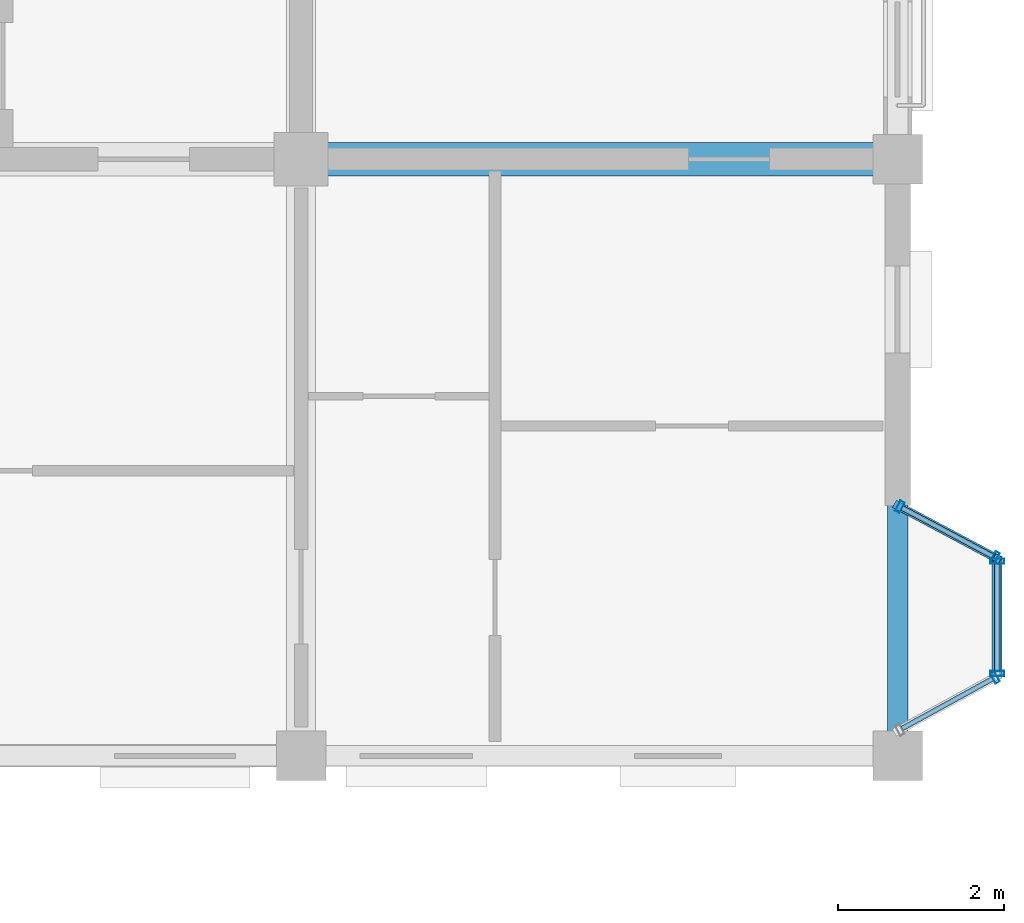
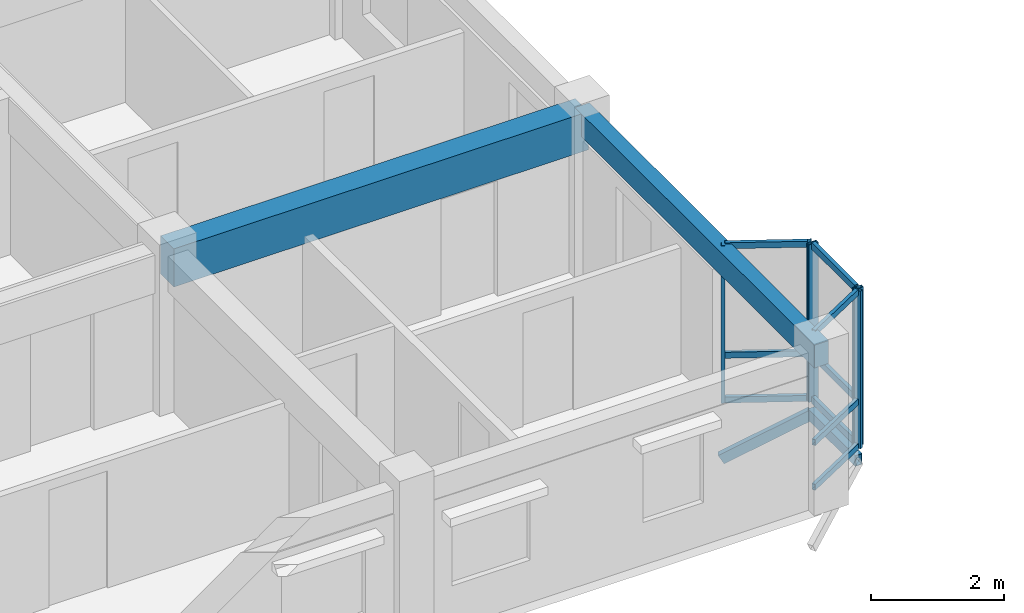
# One storey, part 50 of 124: 16 members, 2 beams, 3 elements without a shape of their own.
"""IFC4 building model written with IfcOpenShell, lengths in metres."""

import ifcopenshell
import ifcopenshell.guid

model = None  # the IFC model being written
_history = None  # IfcOwnerHistory: only IFC2X3 demands one
_inside = {}  # id of a spatial element -> (the spatial element, [elements in it])
_under = {}  # id of a project, library or spatial element -> (it, [spatial elements below it])
_declared = {}  # id of a project -> (the project, [libraries it declares])
_typed = {}  # id of a type object -> (the type object, [elements of that type])
_made_of = {}  # id of a material, layer set ... -> (it, [elements and type objects made of it])


def new_model(schema):
    """Start an empty IFC model of exactly this schema.

    Asked for "IFC4X3", IfcOpenShell would pick the latest addendum, in which some entities
    have other attributes; the version numbers below select the first issue.
    IFC2X3 requires an IfcOwnerHistory on every rooted entity: one is made here for all.
    """
    global model, _history
    if schema == "IFC4X3":
        model = ifcopenshell.file(schema_version=(4, 3, 0, 0))
    else:
        model = ifcopenshell.file(schema=schema)
    _inside.clear()
    _under.clear()
    _declared.clear()
    _typed.clear()
    _made_of.clear()
    _history = None
    if model.schema == "IFC2X3":
        org = make("IfcOrganization", Name="unknown")
        user = make(
            "IfcPersonAndOrganization",
            ThePerson=make("IfcPerson", FamilyName="unknown"),
            TheOrganization=org,
        )
        app = make(
            "IfcApplication",
            ApplicationDeveloper=org,
            Version="unknown",
            ApplicationFullName="unknown",
            ApplicationIdentifier="unknown",
        )
        _history = make(
            "IfcOwnerHistory",
            OwningUser=user,
            OwningApplication=app,
            ChangeAction="ADDED",
            CreationDate=0,
        )
    return model


def make(cls, **values):
    """One entity of the class cls with the attributes given. An attribute that is None is left unset."""
    return model.create_entity(
        cls, **{name: value for name, value in values.items() if value is not None}
    )


def rooted(cls, **values):
    """An entity with a GlobalId (a new one), such as an element, a storey or a relation."""
    return make(cls, GlobalId=ifcopenshell.guid.new(), OwnerHistory=_history, **values)


def si_unit(unit_type, name, prefix=None):
    """IfcSIUnit, for example si_unit("LENGTHUNIT", "METRE", prefix="MILLI")."""
    return make("IfcSIUnit", UnitType=unit_type, Prefix=prefix, Name=name)


def assignment(units):
    """IfcUnitAssignment: the units of a project."""
    return None if units is None else make("IfcUnitAssignment", Units=units)


def point(xyz):
    """IfcCartesianPoint."""
    return None if xyz is None else make("IfcCartesianPoint", Coordinates=xyz)


def direction(xyz):
    """IfcDirection."""
    return None if xyz is None else make("IfcDirection", DirectionRatios=xyz)


def frame(location, z_axis=None, x_axis=None):
    """IfcAxis2Placement3D, a coordinate frame: its origin and axes. An axis left out is left unset."""
    return make(
        "IfcAxis2Placement3D",
        Location=point(location),
        Axis=direction(z_axis),
        RefDirection=direction(x_axis),
    )


def frame_2d(location, x_axis=None):
    """IfcAxis2Placement2D, a coordinate frame in the plane: its origin and x axis."""
    return make(
        "IfcAxis2Placement2D", Location=point(location), RefDirection=direction(x_axis)
    )


def origin():
    """The frame at (0, 0, 0) with its axes left unset."""
    return frame((0.0, 0.0, 0.0))


def origin_2d():
    """The frame at (0, 0) in the plane with its x axis left unset."""
    return frame_2d((0.0, 0.0))


def place(relative_to, where):
    """IfcLocalPlacement: puts the frame where relative to a parent placement (None: the world)."""
    return make(
        "IfcLocalPlacement", PlacementRelTo=relative_to, RelativePlacement=where
    )


def context(
    kind, dimensions, precision=None, world=None, true_north=None, identifier=None
):
    """IfcGeometricRepresentationContext, for example the 3D "Model" context."""
    return make(
        "IfcGeometricRepresentationContext",
        ContextIdentifier=identifier,
        ContextType=kind,
        CoordinateSpaceDimension=dimensions,
        Precision=precision,
        WorldCoordinateSystem=world,
        TrueNorth=true_north,
    )


def subcontext(parent, identifier, kind, view, scale=None):
    """IfcGeometricRepresentationSubContext, for example "Body" below "Model"."""
    return make(
        "IfcGeometricRepresentationSubContext",
        ContextIdentifier=identifier,
        ContextType=kind,
        ParentContext=parent,
        TargetScale=scale,
        TargetView=view,
    )


def project(units=None, contexts=None):
    """IfcProject with its units and contexts."""
    return rooted(
        "IfcProject",
        Name="project",
        RepresentationContexts=contexts,
        UnitsInContext=assignment(units),
    )


def spatial(cls, under=None, at=None, **own):
    """A site, building, storey or space (cls), placed at a placement, below another one or the project."""
    s = rooted(cls, ObjectPlacement=at, **own)
    if under is not None:
        _under.setdefault(under.id(), (under, []))[1].append(s)
    return s


def profile(cls, at=None, kind="AREA", **sizes):
    """A parametric profile (cls). Its sizes go by their IFC names, for example OverallWidth=200.0."""
    return make(cls, ProfileType=kind, Position=at, **sizes)


def rectangle(**sizes):
    """IfcRectangleProfileDef."""
    return profile("IfcRectangleProfileDef", **sizes)


def hollow_rectangle(**sizes):
    """IfcRectangleHollowProfileDef."""
    return profile("IfcRectangleHollowProfileDef", **sizes)


def extrude(swept, where, along, depth):
    """IfcExtrudedAreaSolid: the profile swept, set in the frame where, extruded along a direction by depth."""
    return make(
        "IfcExtrudedAreaSolid",
        SweptArea=swept,
        Position=where,
        ExtrudedDirection=direction(along),
        Depth=depth,
    )


def shape(context_of_items, identifier, shape_type, items):
    """IfcShapeRepresentation: the items that make up one representation, for example the "Body"."""
    return make(
        "IfcShapeRepresentation",
        ContextOfItems=context_of_items,
        RepresentationIdentifier=identifier,
        RepresentationType=shape_type,
        Items=items,
    )


def material(Name=None, Category=None):
    """IfcMaterial."""
    return make("IfcMaterial", Name=Name, Category=Category)


def layer(
    of_material, thickness, ventilated=None, Name=None, Category=None, Priority=None
):
    """IfcMaterialLayer: one layer of a wall or slab, of a material (None: an air gap)."""
    return make(
        "IfcMaterialLayer",
        Material=of_material,
        LayerThickness=thickness,
        IsVentilated=ventilated,
        Name=Name,
        Category=Category,
        Priority=Priority,
    )


def layer_set(layers, Name=None):
    """IfcMaterialLayerSet."""
    return make("IfcMaterialLayerSet", MaterialLayers=layers, LayerSetName=Name)


def material_profile(
    of_material, cross_section, Name=None, Category=None, Priority=None
):
    """IfcMaterialProfile: a cross section and its material."""
    return make(
        "IfcMaterialProfile",
        Name=Name,
        Material=of_material,
        Profile=cross_section,
        Priority=Priority,
        Category=Category,
    )


def profile_set(profiles, Name=None, composite=None):
    """IfcMaterialProfileSet."""
    return make(
        "IfcMaterialProfileSet",
        Name=Name,
        MaterialProfiles=profiles,
        CompositeProfile=composite,
    )


def made_of(thing, what):
    """Note that an element or type object is made of a material, layer set ...; save() writes the relation."""
    if what is not None:
        _made_of.setdefault(what.id(), (what, []))[1].append(thing)
    return thing


def type_object(cls, material=None, **own):
    """A type object (cls), such as IfcWallType, which elements share."""
    return made_of(rooted(cls, **own), material)


def element(
    cls,
    number,
    at=None,
    inside=None,
    cuts=None,
    type_object=None,
    material=None,
    context=None,
    identifier="Body",
    shape_type=None,
    held_by="IfcProductDefinitionShape",
    body=None,
    shapes=None,
    **own,
):
    """One element of the class cls, such as IfcWall. Its Tag is "e" and its number.

    at: its placement. inside: the storey or other place that contains it. cuts: it is an
    opening in that element (IfcRelVoidsElement). A single representation is given by context,
    identifier, shape_type and body (its items); several are given by shapes. held_by: the class
    of the entity that holds the representations. save() writes the other relations.
    """
    e = rooted(cls, Tag="e%d" % number, ObjectPlacement=at, **own)
    if body is not None:
        shapes = [shape(context, identifier, shape_type, body)]
    if shapes is not None:
        e.Representation = make(held_by, Representations=shapes)
    if inside is not None:
        _inside.setdefault(inside.id(), (inside, []))[1].append(e)
    if cuts is not None:
        rooted(
            "IfcRelVoidsElement", RelatingBuildingElement=cuts, RelatedOpeningElement=e
        )
    if type_object is not None:
        _typed.setdefault(type_object.id(), (type_object, []))[1].append(e)
    return made_of(e, material)


def aggregate(whole, parts):
    """IfcRelAggregates: a whole, such as a stair, and the parts it consists of."""
    return rooted("IfcRelAggregates", RelatingObject=whole, RelatedObjects=parts)


def save(model, path):
    """Write the relations noted so far, then the file.

    IfcRelAggregates (storeys below a building ...), IfcRelContainedInSpatialStructure (elements
    in a storey), IfcRelDefinesByType, IfcRelAssociatesMaterial and IfcRelDeclares: one each for
    every whole, place, type object, material and project.
    """
    for whole, parts in _under.values():
        aggregate(whole, parts)
    for where, things in _inside.values():
        rooted(
            "IfcRelContainedInSpatialStructure",
            RelatedElements=things,
            RelatingStructure=where,
        )
    for kind, things in _typed.values():
        rooted("IfcRelDefinesByType", RelatedObjects=things, RelatingType=kind)
    for what, things in _made_of.values():
        rooted("IfcRelAssociatesMaterial", RelatedObjects=things, RelatingMaterial=what)
    for by, libraries in _declared.values():
        rooted("IfcRelDeclares", RelatingContext=by, RelatedDefinitions=libraries)
    model.write(path)


model = new_model("IFC4")

# Units and contexts
model_context = context("Model", 3, precision=1e-05, world=origin(), true_north=direction((0.0, 1.0)))
body_context = subcontext(model_context, "Body", "Model", "MODEL_VIEW")
ifc_project = project(units=[si_unit("LENGTHUNIT", "METRE"), si_unit("AREAUNIT", "SQUARE_METRE"), si_unit("VOLUMEUNIT", "CUBIC_METRE"), si_unit("PLANEANGLEUNIT", "RADIAN"), si_unit("MASSUNIT", "GRAM", prefix="KILO"), si_unit("THERMODYNAMICTEMPERATUREUNIT", "KELVIN"), si_unit("POWERUNIT", "WATT")], contexts=[model_context])

# Site, building, storey
site_placement = place(None, origin())
site = spatial("IfcSite", under=ifc_project, at=site_placement, CompositionType="ELEMENT")
building_placement = place(site_placement, origin())
building = spatial("IfcBuilding", under=site, at=building_placement, Name="Tavuni Mirador Residences", CompositionType="ELEMENT")
storey_placement = place(building_placement, frame((0.0, 0.0, 7.64990234375)))
storey = spatial("IfcBuildingStorey", under=building, at=storey_placement, Name="L02", CompositionType="ELEMENT", Elevation=7.64990234375)

# Beams
ifc_material_1 = material(Name="Precast concrete C40/50", Category="concrete")
ifc_material_profile_1 = material_profile(ifc_material_1, rectangle(XDim=0.39990234375, YDim=0.699951171875, at=origin_2d()), Name="PC 400x700", Category="concrete")
ifc_profile_set_1 = profile_set([ifc_material_profile_1], Name="Precast concrete C40/50")
beam_type_1 = type_object("IfcBeamType", Name="BT-B700", PredefinedType="BEAM", material=ifc_profile_set_1)
beam_1_placement = place(storey_placement, frame((111.60009765625, 93.60009765625, 2.5400390625), z_axis=(1.0, 0.0, 0.0), x_axis=(0.0, 1.0, 0.0)))
element("IfcBeam", 1, at=beam_1_placement, inside=storey, type_object=beam_type_1, Name="BMX-BLK-D-L02-03-01", PredefinedType="BEAM", context=body_context, shape_type="SweptSolid", body=[
    extrude(rectangle(XDim=0.39990234375, YDim=0.699951171875, at=origin_2d()), origin(), (0.0, 0.0, 1.0), 7.199951171875),
])
ifc_material_profile_2 = material_profile(ifc_material_1, rectangle(XDim=0.25, YDim=0.419921875, at=origin_2d()), Name="PC 250x420", Category="concrete")
ifc_profile_set_2 = profile_set([ifc_material_profile_2], Name="Precast concrete C40/50")
beam_type_2 = type_object("IfcBeamType", Name="BT-SP420", PredefinedType="SPANDREL", material=ifc_profile_set_2)
beam_2_placement = place(storey_placement, frame((118.800048828125, 86.39990234375, 2.68017578125), z_axis=(0.0, 1.0, 0.0), x_axis=(-1.0, 0.0, 0.0)))
element("IfcBeam", 2, at=beam_2_placement, inside=storey, type_object=beam_type_2, Name="BMY-BLK-D-L02-04-00", PredefinedType="SPANDREL", context=body_context, shape_type="SweptSolid", body=[
    extrude(rectangle(XDim=0.25, YDim=0.419921875, at=origin_2d()), origin(), (0.0, 0.0, 1.0), 7.2001953125),
])

# Curtain wall, member
ifc_material_2 = material(Name="Anodised aluminium", Category="aluminium")
ifc_layer_1 = layer(ifc_material_2, 0.175048828125, Name="Anodised aluminium", Category="aluminium")
ifc_layer_set_1 = layer_set([ifc_layer_1], Name="Anodised aluminium")
curtain_wall_type_1 = type_object("IfcCurtainWallType", Name="CWT-MIR-C", PredefinedType="NOTDEFINED", material=ifc_layer_set_1)
curtain_wall_1_placement = place(storey_placement, origin())
curtain_wall_1 = element("IfcCurtainWall", 3, at=curtain_wall_1_placement, inside=storey, type_object=curtain_wall_type_1, Name="CW-MIR-D-E1-L02-M1", PredefinedType="NOTDEFINED")
ifc_material_profile_3 = material_profile(ifc_material_2, hollow_rectangle(XDim=0.06005859375, YDim=0.139892578125, WallThickness=0.00390625, at=origin_2d()), Name="ALU 60x140x4.0", Category="aluminium")
ifc_profile_set_3 = profile_set([ifc_material_profile_3], Name="Anodised aluminium")
member_type_1 = type_object("IfcMemberType", Name="CWM-140", PredefinedType="MULLION", material=ifc_profile_set_3)
member_1_placement = place(storey_placement, frame((119.9736328125, 87.345458984375, 0.0), z_axis=(0.0, 0.0, 1.0), x_axis=(0.876215908676, 0.481918749773, 0.0)))
member_1 = element("IfcMember", 4, at=member_1_placement, type_object=member_type_1, Name="CW-03 mullion 2", PredefinedType="MULLION", context=body_context, shape_type="SweptSolid", body=[
    extrude(hollow_rectangle(XDim=0.06005859375, YDim=0.139892578125, WallThickness=0.00390625, at=origin_2d()), origin(), (0.0, 0.0, 1.0), 2.89013671875),
])

# Curtain wall, members
ifc_layer_2 = layer(ifc_material_2, 0.1650390625, Name="Anodised aluminium", Category="aluminium")
ifc_layer_set_2 = layer_set([ifc_layer_2], Name="Anodised aluminium")
curtain_wall_type_2 = type_object("IfcCurtainWallType", Name="CWT-MIR-A", PredefinedType="NOTDEFINED", material=ifc_layer_set_2)
curtain_wall_2_placement = place(storey_placement, origin())
curtain_wall_2 = element("IfcCurtainWall", 5, at=curtain_wall_2_placement, inside=storey, type_object=curtain_wall_type_2, Name="CW-MIR-D-E1-L02-M2", PredefinedType="NOTDEFINED")
member_2_placement = place(storey_placement, frame((119.9736328125, 88.794189453125, 0.0), z_axis=(0.0, 0.0, 1.0), x_axis=(-0.882352941175, 0.470588235296, 0.0)))
member_2 = element("IfcMember", 6, at=member_2_placement, type_object=member_type_1, Name="CW-01 mullion 1", PredefinedType="MULLION", context=body_context, shape_type="SweptSolid", body=[
    extrude(hollow_rectangle(XDim=0.06005859375, YDim=0.139892578125, WallThickness=0.00390625, at=origin_2d()), origin(), (0.0, 0.0, 1.0), 2.89013671875),
])
member_3_placement = place(storey_placement, frame((118.826416015625, 89.40576171875, 0.0), z_axis=(0.0, 0.0, 1.0), x_axis=(-0.882352941175, 0.470588235296, 0.0)))
member_3 = element("IfcMember", 7, at=member_3_placement, type_object=member_type_1, Name="CW-01 mullion 2", PredefinedType="MULLION", context=body_context, shape_type="SweptSolid", body=[
    extrude(hollow_rectangle(XDim=0.06005859375, YDim=0.139892578125, WallThickness=0.00390625, at=origin_2d()), origin(), (0.0, 0.0, 1.0), 2.89013671875),
])

ifc_layer_3 = layer(ifc_material_2, 0.159912109375, Name="Anodised aluminium", Category="aluminium")
ifc_layer_set_3 = layer_set([ifc_layer_3], Name="Anodised aluminium")
curtain_wall_type_3 = type_object("IfcCurtainWallType", Name="CWT-MIR-D", PredefinedType="NOTDEFINED", material=ifc_layer_set_3)
curtain_wall_3_placement = place(storey_placement, origin())
curtain_wall_3 = element("IfcCurtainWall", 8, at=curtain_wall_3_placement, inside=storey, type_object=curtain_wall_type_3, Name="CW-MIR-D-E1-L02-MF", PredefinedType="NOTDEFINED")
ifc_material_profile_4 = material_profile(ifc_material_2, hollow_rectangle(XDim=0.06494140625, YDim=0.1650390625, WallThickness=0.00439453125, at=origin_2d()), Name="ALU 65x165x4.5", Category="aluminium")
ifc_profile_set_4 = profile_set([ifc_material_profile_4], Name="Anodised aluminium")
member_type_2 = type_object("IfcMemberType", Name="CWM-165", PredefinedType="MULLION", material=ifc_profile_set_4)
member_4_placement = place(storey_placement, frame((120.0, 87.392578125, 0.0), z_axis=(0.0, 0.0, 1.0), x_axis=(0.0, 1.0, 0.0)))
member_4 = element("IfcMember", 9, at=member_4_placement, type_object=member_type_2, Name="CW-04 mullion 1", PredefinedType="MULLION", context=body_context, shape_type="SweptSolid", body=[
    extrude(hollow_rectangle(XDim=0.06494140625, YDim=0.1650390625, WallThickness=0.00439453125, at=origin_2d()), origin(), (0.0, 0.0, 1.0), 2.89013671875),
])
member_5_placement = place(storey_placement, frame((120.0, 88.74755859375, 0.0), z_axis=(0.0, 0.0, 1.0), x_axis=(0.0, 1.0, 0.0)))
member_5 = element("IfcMember", 10, at=member_5_placement, type_object=member_type_2, Name="CW-04 mullion 2", PredefinedType="MULLION", context=body_context, shape_type="SweptSolid", body=[
    extrude(hollow_rectangle(XDim=0.06494140625, YDim=0.1650390625, WallThickness=0.00439453125, at=origin_2d()), origin(), (0.0, 0.0, 1.0), 2.89013671875),
])

# Member
ifc_material_profile_5 = material_profile(ifc_material_2, hollow_rectangle(XDim=0.06005859375, YDim=0.110107421875, WallThickness=0.00390625, at=origin_2d()), Name="ALU 60x110x4.0", Category="aluminium")
ifc_profile_set_5 = profile_set([ifc_material_profile_5], Name="Anodised aluminium")
member_type_3 = type_object("IfcMemberType", Name="CWT-110", PredefinedType="USERDEFINED", material=ifc_profile_set_5)
member_6_placement = place(storey_placement, frame((118.8525390625, 86.72900390625, 0.030029296875), z_axis=(0.87627777793, 0.481806243116, 0.0), x_axis=(-0.481806243116, 0.87627777793, 0.0)))
member_6 = element("IfcMember", 11, at=member_6_placement, type_object=member_type_3, Name="CW-03 transom 1.1", ObjectType="TRANSOM", PredefinedType="USERDEFINED", context=body_context, shape_type="SweptSolid", body=[
    extrude(hollow_rectangle(XDim=0.06005859375, YDim=0.110107421875, WallThickness=0.00390625, at=origin_2d()), origin(), (0.0, 0.0, 1.0), 1.24951171875),
])

member_7_placement = place(storey_placement, frame((118.8525390625, 86.72900390625, 0.85009765625), z_axis=(0.87627777793, 0.481806243116, 0.0), x_axis=(-0.481806243116, 0.87627777793, 0.0)))
member_7 = element("IfcMember", 12, at=member_7_placement, type_object=member_type_3, Name="CW-03 transom 1.2", ObjectType="TRANSOM", PredefinedType="USERDEFINED", context=body_context, shape_type="SweptSolid", body=[
    extrude(hollow_rectangle(XDim=0.06005859375, YDim=0.110107421875, WallThickness=0.00390625, at=origin_2d()), origin(), (0.0, 0.0, 1.0), 1.24951171875),
])

member_8_placement = place(storey_placement, frame((118.8525390625, 86.72900390625, 2.860107421875), z_axis=(0.87627777793, 0.481806243116, 0.0), x_axis=(-0.481806243116, 0.87627777793, 0.0)))
member_8 = element("IfcMember", 13, at=member_8_placement, type_object=member_type_3, Name="CW-03 transom 1.3", ObjectType="TRANSOM", PredefinedType="USERDEFINED", context=body_context, shape_type="SweptSolid", body=[
    extrude(hollow_rectangle(XDim=0.06005859375, YDim=0.110107421875, WallThickness=0.00390625, at=origin_2d()), origin(), (0.0, 0.0, 1.0), 1.24951171875),
])

aggregate(curtain_wall_1, [member_1, member_6, member_7, member_8])

member_9_placement = place(storey_placement, frame((119.947021484375, 88.808349609375, 0.030029296875), z_axis=(-0.882342039492, 0.470608675382, 0.0), x_axis=(-0.470608675382, -0.882342039492, 0.0)))
member_9 = element("IfcMember", 14, at=member_9_placement, type_object=member_type_3, Name="CW-01 transom 1.1", ObjectType="TRANSOM", PredefinedType="USERDEFINED", context=body_context, shape_type="SweptSolid", body=[
    extrude(hollow_rectangle(XDim=0.06005859375, YDim=0.110107421875, WallThickness=0.00390625, at=origin_2d()), origin(), (0.0, 0.0, 1.0), 1.239990234375),
])

member_10_placement = place(storey_placement, frame((119.947021484375, 88.808349609375, 0.85009765625), z_axis=(-0.882342039492, 0.470608675382, 0.0), x_axis=(-0.470608675382, -0.882342039492, 0.0)))
member_10 = element("IfcMember", 15, at=member_10_placement, type_object=member_type_3, Name="CW-01 transom 1.2", ObjectType="TRANSOM", PredefinedType="USERDEFINED", context=body_context, shape_type="SweptSolid", body=[
    extrude(hollow_rectangle(XDim=0.06005859375, YDim=0.110107421875, WallThickness=0.00390625, at=origin_2d()), origin(), (0.0, 0.0, 1.0), 1.239990234375),
])

member_11_placement = place(storey_placement, frame((119.947021484375, 88.808349609375, 2.860107421875), z_axis=(-0.882342039492, 0.470608675382, 0.0), x_axis=(-0.470608675382, -0.882342039492, 0.0)))
member_11 = element("IfcMember", 16, at=member_11_placement, type_object=member_type_3, Name="CW-01 transom 1.3", ObjectType="TRANSOM", PredefinedType="USERDEFINED", context=body_context, shape_type="SweptSolid", body=[
    extrude(hollow_rectangle(XDim=0.06005859375, YDim=0.110107421875, WallThickness=0.00390625, at=origin_2d()), origin(), (0.0, 0.0, 1.0), 1.239990234375),
])

aggregate(curtain_wall_2, [member_2, member_3, member_9, member_10, member_11])

ifc_material_profile_6 = material_profile(ifc_material_2, hollow_rectangle(XDim=0.06494140625, YDim=0.125, WallThickness=0.00439453125, at=origin_2d()), Name="ALU 65x125x4.5", Category="aluminium")
ifc_profile_set_6 = profile_set([ifc_material_profile_6], Name="Anodised aluminium")
member_type_4 = type_object("IfcMemberType", Name="CWT-125", PredefinedType="USERDEFINED", material=ifc_profile_set_6)
member_12_placement = place(storey_placement, frame((120.0, 87.425048828125, 0.03271484375), z_axis=(0.0, 1.0, 0.0), x_axis=(-1.0, 0.0, 0.0)))
member_12 = element("IfcMember", 17, at=member_12_placement, type_object=member_type_4, Name="CW-04 transom 1.1", ObjectType="TRANSOM", PredefinedType="USERDEFINED", context=body_context, shape_type="SweptSolid", body=[
    extrude(hollow_rectangle(XDim=0.06494140625, YDim=0.125, WallThickness=0.00439453125, at=origin_2d()), origin(), (0.0, 0.0, 1.0), 1.2900390625),
])

member_13_placement = place(storey_placement, frame((120.0, 87.425048828125, 0.85009765625), z_axis=(0.0, 1.0, 0.0), x_axis=(-1.0, 0.0, 0.0)))
member_13 = element("IfcMember", 18, at=member_13_placement, type_object=member_type_4, Name="CW-04 transom 1.2", ObjectType="TRANSOM", PredefinedType="USERDEFINED", context=body_context, shape_type="SweptSolid", body=[
    extrude(hollow_rectangle(XDim=0.06494140625, YDim=0.125, WallThickness=0.00439453125, at=origin_2d()), origin(), (0.0, 0.0, 1.0), 1.2900390625),
])

member_14_placement = place(storey_placement, frame((120.0, 87.425048828125, 2.857666015625), z_axis=(0.0, 1.0, 0.0), x_axis=(-1.0, 0.0, 0.0)))
member_14 = element("IfcMember", 19, at=member_14_placement, type_object=member_type_4, Name="CW-04 transom 1.3", ObjectType="TRANSOM", PredefinedType="USERDEFINED", context=body_context, shape_type="SweptSolid", body=[
    extrude(hollow_rectangle(XDim=0.06494140625, YDim=0.125, WallThickness=0.00439453125, at=origin_2d()), origin(), (0.0, 0.0, 1.0), 1.2900390625),
])

aggregate(curtain_wall_3, [member_4, member_5, member_12, member_13, member_14])

# Members
ifc_material_3 = material(Name="Structural steel S355", Category="steel")
ifc_material_profile_7 = material_profile(ifc_material_3, hollow_rectangle(XDim=0.10009765625, YDim=0.179931640625, WallThickness=0.008056640625, at=origin_2d()), Name="RHS 180x100x8.0", Category="steel")
ifc_profile_set_7 = profile_set([ifc_material_profile_7], Name="Structural steel S355")
member_type_5 = type_object("IfcMemberType", Name="MT-BR-RHS180", PredefinedType="BRACE", material=ifc_profile_set_7)
member_15_placement = place(storey_placement, frame((118.800048828125, 89.419921875, -1.0498046875), z_axis=(0.763028678593, -0.406896880283, 0.50221724827), x_axis=(0.47054164445, 0.882377788047, 0.0)))
element("IfcMember", 20, at=member_15_placement, inside=storey, type_object=member_type_5, Name="MBRK-MIR-D-E1-L02-2", PredefinedType="BRACE", context=body_context, shape_type="SweptSolid", body=[
    extrude(hollow_rectangle(XDim=0.10009765625, YDim=0.179931640625, WallThickness=0.008056640625, at=origin_2d()), origin(), (0.0, 0.0, 1.0), 1.572509765625),
])
ifc_material_profile_8 = material_profile(ifc_material_3, hollow_rectangle(XDim=0.1201171875, YDim=0.199951171875, WallThickness=0.010009765625, at=origin_2d()), Name="RHS 200x120x10.0", Category="steel")
ifc_profile_set_8 = profile_set([ifc_material_profile_8], Name="Structural steel S355")
member_type_6 = type_object("IfcMemberType", Name="MT-ST-RHS200", PredefinedType="STRUT", material=ifc_profile_set_8)
member_16_placement = place(storey_placement, frame((120.0, 87.360107421875, -0.260009765625), z_axis=(0.0, 1.0, 0.0), x_axis=(-1.0, 0.0, 0.0)))
element("IfcMember", 21, at=member_16_placement, inside=storey, type_object=member_type_6, Name="MRIM-MIR-D-E1-L02", PredefinedType="STRUT", context=body_context, shape_type="SweptSolid", body=[
    extrude(hollow_rectangle(XDim=0.1201171875, YDim=0.199951171875, WallThickness=0.010009765625, at=origin_2d()), origin(), (0.0, 0.0, 1.0), 1.419921875),
])

save(model, "model.ifc")
